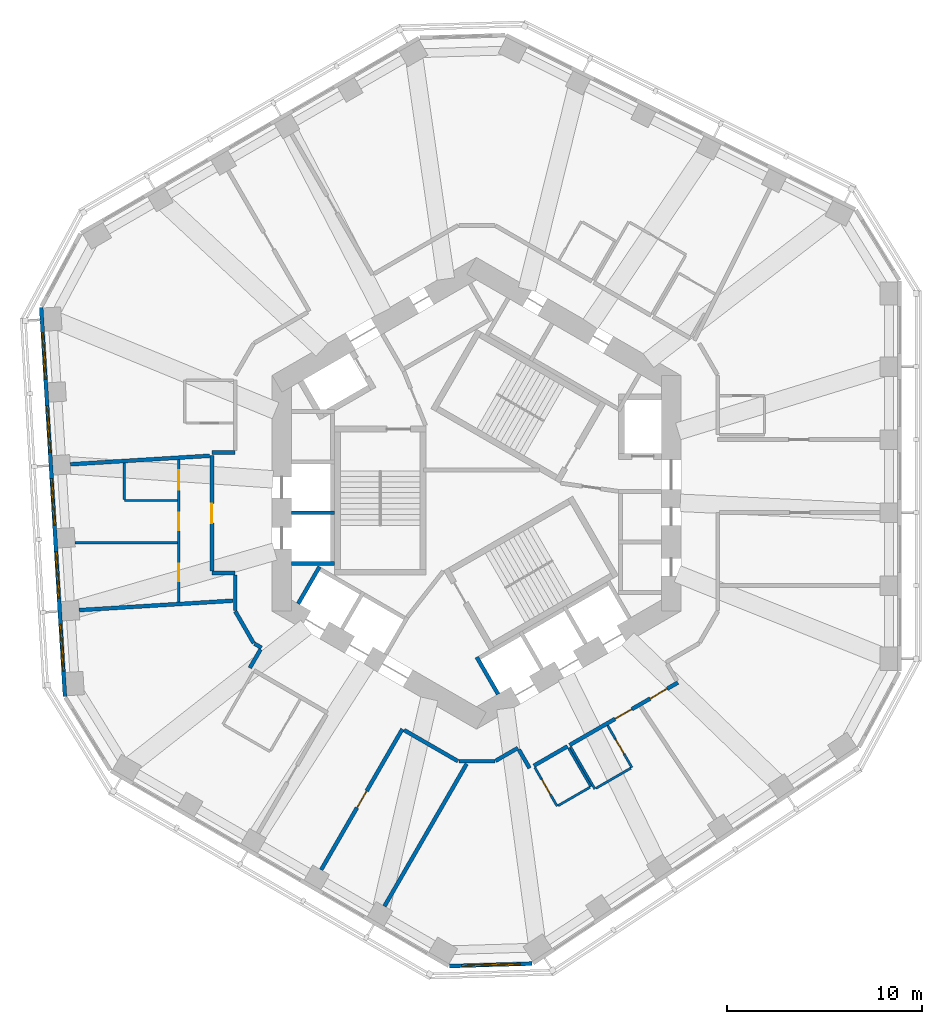
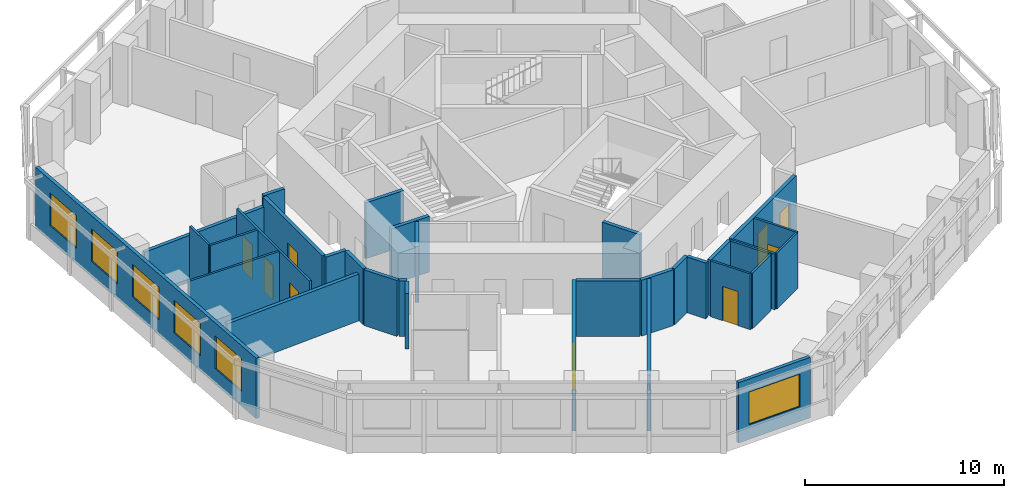
# One storey, part 4 of 11: 33 walls, 9 doors, 6 windows, 15 openings.
"""IFC4 building model written with IfcOpenShell, lengths in metres."""

from ifc_helpers import new_model, si_unit, direction, frame, frame_2d, origin, place, context, subcontext, project, spatial, rectangle, extrude, material, layer, layer_set, type_object, element, fill, save


model = new_model("IFC4")

# Units and contexts
model_context = context("Model", 3, precision=1e-05, world=origin(), true_north=direction((0.0, 1.0)))
body_context = subcontext(model_context, "Body", "Model", "MODEL_VIEW")
ifc_project = project(units=[si_unit("LENGTHUNIT", "METRE"), si_unit("AREAUNIT", "SQUARE_METRE"), si_unit("VOLUMEUNIT", "CUBIC_METRE"), si_unit("PLANEANGLEUNIT", "RADIAN"), si_unit("MASSUNIT", "GRAM", prefix="KILO")], contexts=[model_context])

# Site, building, storey
site_placement = place(None, origin())
site = spatial("IfcSite", under=ifc_project, at=site_placement, CompositionType="ELEMENT")
building_placement = place(site_placement, origin())
building = spatial("IfcBuilding", under=site, at=building_placement, Name="Vanh Sen Convention Tower", CompositionType="ELEMENT")
storey_placement = place(building_placement, frame((0.0, 0.0, 172.5)))
storey = spatial("IfcBuildingStorey", under=building, at=storey_placement, Name="L42", CompositionType="ELEMENT", Elevation=172.5)

# Walls
ifc_material_1 = material(Name="Moisture-resistant gypsum board on steel studs", Category="steel")
ifc_layer_1 = layer(ifc_material_1, 0.1201171875)
ifc_layer_set_1 = layer_set([ifc_layer_1], Name="Moisture-resistant gypsum board on steel studs")
wall_type_1 = type_object("IfcWallType", Name="Bathroom partition 120", PredefinedType="PARTITIONING", material=ifc_layer_set_1)
wall_1_placement = place(storey_placement, frame((-20.63330078125, -2.540771484375, 0.0), z_axis=(0.0, 0.0, 1.0), x_axis=(1.0, 0.0, 0.0)))
element("IfcWall", 1, at=wall_1_placement, inside=storey, type_object=wall_type_1, Name="Bathroom partition 120", PredefinedType="PARTITIONING", context=body_context, shape_type="SweptSolid", body=[
    extrude(rectangle(XDim=5.272216796875, YDim=0.1201171875, at=frame_2d((2.63623046875, 0.0))), origin(), (0.0, 0.0, 1.0), 3.419921875),
])
wall_2_placement = place(storey_placement, frame((-18.10107421875, -0.369384765625, 0.0), z_axis=(0.0, 0.0, 1.0), x_axis=(1.0, 0.0, 0.0)))
element("IfcWall", 2, at=wall_2_placement, inside=storey, type_object=wall_type_1, Name="Bathroom partition 120", PredefinedType="PARTITIONING", context=body_context, shape_type="SweptSolid", body=[
    extrude(rectangle(XDim=2.739990234375, YDim=0.1201171875, at=frame_2d((1.3701171875, 0.0))), origin(), (0.0, 0.0, 1.0), 3.419921875),
])
wall_3_placement = place(storey_placement, frame((-18.10107421875, 1.559326171875, 0.0), z_axis=(0.0, 0.0, 1.0), x_axis=(0.0, -1.0, 0.0)))
element("IfcWall", 3, at=wall_3_placement, inside=storey, type_object=wall_type_1, Name="Bathroom partition 120", PredefinedType="PARTITIONING", context=body_context, shape_type="SweptSolid", body=[
    extrude(rectangle(XDim=1.86865234375, YDim=0.1201171875, at=frame_2d((0.934326171875, 0.0))), origin(), (0.0, 0.0, 1.0), 3.419921875),
])

# Wall, openings, doors
wall_4_placement = place(storey_placement, frame((-15.301025390625, 1.730712890625, 0.0), z_axis=(0.0, 0.0, 1.0), x_axis=(0.0, -1.0, 0.0)))
wall_4 = element("IfcWall", 4, at=wall_4_placement, inside=storey, type_object=wall_type_1, Name="Bathroom partition 120", PredefinedType="PARTITIONING", context=body_context, shape_type="SweptSolid", body=[
    extrude(rectangle(XDim=7.322265625, YDim=0.1201171875, at=frame_2d((3.6611328125, 0.0))), origin(), (0.0, 0.0, 1.0), 3.419921875),
])
opening_1_placement = place(wall_4_placement, frame((0.550048828125, 0.0, 0.0)))
opening_1 = element("IfcOpeningElement", 5, at=opening_1_placement, cuts=wall_4, Name="Opening D41110", PredefinedType="OPENING", context=body_context, shape_type="SweptSolid", body=[
    extrude(rectangle(XDim=1.0, YDim=2.10009765625, at=frame_2d((0.5, 1.050048828125))), frame((0.0, 0.070068359375, 0.0), z_axis=(0.0, -1.0, 0.0), x_axis=(1.0, 0.0, 0.0)), (0.0, 0.0, 1.0), 0.14013671875),
])
opening_2_placement = place(wall_4_placement, frame((2.735595703125, 0.0, 0.0)))
opening_2 = element("IfcOpeningElement", 6, at=opening_2_placement, cuts=wall_4, Name="Opening D41111", PredefinedType="OPENING", context=body_context, shape_type="SweptSolid", body=[
    extrude(rectangle(XDim=0.89990234375, YDim=2.10009765625, at=frame_2d((0.449951171875, 1.050048828125))), frame((0.0, 0.070068359375, 0.0), z_axis=(0.0, -1.0, 0.0), x_axis=(1.0, 0.0, 0.0)), (0.0, 0.0, 1.0), 0.14013671875),
])
opening_3_placement = place(wall_4_placement, frame((5.3466796875, 0.0, 0.0)))
opening_3 = element("IfcOpeningElement", 7, at=opening_3_placement, cuts=wall_4, Name="Opening D41112", PredefinedType="OPENING", context=body_context, shape_type="SweptSolid", body=[
    extrude(rectangle(XDim=0.89990234375, YDim=2.10009765625, at=frame_2d((0.449951171875, 1.050048828125))), frame((0.0, 0.070068359375, 0.0), z_axis=(0.0, -1.0, 0.0), x_axis=(1.0, 0.0, 0.0)), (0.0, 0.0, 1.0), 0.14013671875),
])
ifc_material_2 = material(Name="Laminate door in steel frame", Category="steel")
door_type_1 = type_object("IfcDoorType", Name="Accessible WC door 1000", OperationType="SINGLE_SWING_LEFT", PredefinedType="DOOR", material=ifc_material_2)
door_1_placement = place(opening_1_placement, origin())
door_1 = element("IfcDoor", 8, at=door_1_placement, inside=storey, type_object=door_type_1, Name="Accessible WC door D41110", OperationType="SINGLE_SWING_LEFT", OverallHeight=2.10009765625, OverallWidth=1.0, PredefinedType="DOOR", context=body_context, shape_type="SweptSolid", body=[
    extrude(rectangle(XDim=1.0, YDim=2.10009765625, at=frame_2d((0.5, 1.050048828125))), frame((0.0, 0.02490234375, 0.0), z_axis=(0.0, -1.0, 0.0), x_axis=(1.0, 0.0, 0.0)), (0.0, 0.0, 1.0), 0.050048828125),
])
fill(opening_1, door_1)
door_type_2 = type_object("IfcDoorType", Name="Room internal door 900", OperationType="SINGLE_SWING_LEFT", PredefinedType="DOOR", material=ifc_material_2)
door_2_placement = place(opening_2_placement, origin())
door_2 = element("IfcDoor", 9, at=door_2_placement, inside=storey, type_object=door_type_2, Name="Internal room door D41111", OperationType="SINGLE_SWING_LEFT", OverallHeight=2.10009765625, OverallWidth=0.89990234375, PredefinedType="DOOR", context=body_context, shape_type="SweptSolid", body=[
    extrude(rectangle(XDim=0.89990234375, YDim=2.10009765625, at=frame_2d((0.449951171875, 1.050048828125))), frame((0.0, 0.02490234375, 0.0), z_axis=(0.0, -1.0, 0.0), x_axis=(1.0, 0.0, 0.0)), (0.0, 0.0, 1.0), 0.050048828125),
])
fill(opening_2, door_2)
door_3_placement = place(opening_3_placement, origin())
door_3 = element("IfcDoor", 10, at=door_3_placement, inside=storey, type_object=door_type_2, Name="Internal room door D41112", OperationType="SINGLE_SWING_LEFT", OverallHeight=2.10009765625, OverallWidth=0.89990234375, PredefinedType="DOOR", context=body_context, shape_type="SweptSolid", body=[
    extrude(rectangle(XDim=0.89990234375, YDim=2.10009765625, at=frame_2d((0.449951171875, 1.050048828125))), frame((0.0, 0.02490234375, 0.0), z_axis=(0.0, -1.0, 0.0), x_axis=(1.0, 0.0, 0.0)), (0.0, 0.0, 1.0), 0.050048828125),
])
fill(opening_3, door_3)

# Wall, opening, door
wall_5_placement = place(storey_placement, frame((4.145751953125, -16.082763671875, 0.0), z_axis=(0.0, 0.0, 1.0), x_axis=(-0.499952165731, 0.866053019151, 0.0)))
wall_5 = element("IfcWall", 11, at=wall_5_placement, inside=storey, type_object=wall_type_1, Name="Bathroom partition 120", PredefinedType="PARTITIONING", context=body_context, shape_type="SweptSolid", body=[
    extrude(rectangle(XDim=2.300048828125, YDim=0.1201171875, at=frame_2d((1.14990234375, 0.0))), origin(), (0.0, 0.0, 1.0), 3.419921875),
])
opening_4_placement = place(wall_5_placement, frame((0.699951171875, 0.0, 0.0)))
opening_4 = element("IfcOpeningElement", 12, at=opening_4_placement, cuts=wall_5, Name="Opening D41117", PredefinedType="OPENING", context=body_context, shape_type="SweptSolid", body=[
    extrude(rectangle(XDim=0.89990234375, YDim=2.10009765625, at=frame_2d((0.449951171875, 1.050048828125))), frame((0.0, 0.070068359375, 0.0), z_axis=(0.0, -1.0, 0.0), x_axis=(1.0, 0.0, 0.0)), (0.0, 0.0, 1.0), 0.14013671875),
])
door_4_placement = place(opening_4_placement, origin())
door_4 = element("IfcDoor", 13, at=door_4_placement, inside=storey, type_object=door_type_2, Name="Internal room door D41117", OperationType="SINGLE_SWING_LEFT", OverallHeight=2.10009765625, OverallWidth=0.89990234375, PredefinedType="DOOR", context=body_context, shape_type="SweptSolid", body=[
    extrude(rectangle(XDim=0.89990234375, YDim=2.10009765625, at=frame_2d((0.449951171875, 1.050048828125))), frame((0.0, 0.02490234375, 0.0), z_axis=(0.0, -1.0, 0.0), x_axis=(1.0, 0.0, 0.0)), (0.0, 0.0, 1.0), 0.050048828125),
])
fill(opening_4, door_4)

# Walls
wall_6_placement = place(storey_placement, frame((4.727783203125, -13.0908203125, 0.0), z_axis=(0.0, 0.0, 1.0), x_axis=(0.500031774688, -0.866007057882, 0.0)))
element("IfcWall", 14, at=wall_6_placement, inside=storey, type_object=wall_type_1, Name="Bathroom partition 120", PredefinedType="PARTITIONING", context=body_context, shape_type="SweptSolid", body=[
    extrude(rectangle(XDim=2.300048828125, YDim=0.1201171875, at=frame_2d((1.14990234375, 0.0))), origin(), (0.0, 0.0, 1.0), 3.419921875),
])
wall_7_placement = place(storey_placement, frame((5.825927734375, -15.11279296875, 0.0), z_axis=(0.0, 0.0, 1.0), x_axis=(-0.866045024864, -0.499966013754, 0.0)))
element("IfcWall", 15, at=wall_7_placement, inside=storey, type_object=wall_type_1, Name="Bathroom partition 120", PredefinedType="PARTITIONING", context=body_context, shape_type="SweptSolid", body=[
    extrude(rectangle(XDim=1.880126953125, YDim=0.1201171875, at=frame_2d((0.93994140625, 0.0))), origin(), (0.0, 0.0, 1.0), 3.419921875),
])
wall_8_placement = place(storey_placement, frame((6.081787109375, -15.196044921875, 0.0), z_axis=(0.0, 0.0, 1.0), x_axis=(-0.500004234368, 0.866022959057, 0.0)))
element("IfcWall", 16, at=wall_8_placement, inside=storey, type_object=wall_type_1, Name="Bathroom partition 120", PredefinedType="PARTITIONING", context=body_context, shape_type="SweptSolid", body=[
    extrude(rectangle(XDim=2.5, YDim=0.1201171875, at=frame_2d((1.25, 0.0))), origin(), (0.0, 0.0, 1.0), 3.419921875),
])

# Wall, opening, door
wall_9_placement = place(storey_placement, frame((6.737060546875, -11.930908203125, 0.0), z_axis=(0.0, 0.0, 1.0), x_axis=(0.500004234368, -0.866022959057, 0.0)))
wall_9 = element("IfcWall", 17, at=wall_9_placement, inside=storey, type_object=wall_type_1, Name="Bathroom partition 120", PredefinedType="PARTITIONING", context=body_context, shape_type="SweptSolid", body=[
    extrude(rectangle(XDim=2.5, YDim=0.1201171875, at=frame_2d((1.25, 0.0))), origin(), (0.0, 0.0, 1.0), 3.419921875),
])
opening_5_placement = place(wall_9_placement, frame((0.800048828125, 0.0, 0.0)))
opening_5 = element("IfcOpeningElement", 18, at=opening_5_placement, cuts=wall_9, Name="Opening D41118", PredefinedType="OPENING", context=body_context, shape_type="SweptSolid", body=[
    extrude(rectangle(XDim=0.89990234375, YDim=2.10009765625, at=frame_2d((0.449951171875, 1.050048828125))), frame((0.0, 0.070068359375, 0.0), z_axis=(0.0, -1.0, 0.0), x_axis=(1.0, 0.0, 0.0)), (0.0, 0.0, 1.0), 0.14013671875),
])
door_5_placement = place(opening_5_placement, origin())
door_5 = element("IfcDoor", 19, at=door_5_placement, inside=storey, type_object=door_type_2, Name="Internal room door D41118", OperationType="SINGLE_SWING_LEFT", OverallHeight=2.10009765625, OverallWidth=0.89990234375, PredefinedType="DOOR", context=body_context, shape_type="SweptSolid", body=[
    extrude(rectangle(XDim=0.89990234375, YDim=2.10009765625, at=frame_2d((0.449951171875, 1.050048828125))), frame((0.0, 0.02490234375, 0.0), z_axis=(0.0, -1.0, 0.0), x_axis=(1.0, 0.0, 0.0)), (0.0, 0.0, 1.0), 0.050048828125),
])
fill(opening_5, door_5)

# Walls
wall_10_placement = place(storey_placement, frame((7.93505859375, -14.1259765625, 0.0), z_axis=(0.0, 0.0, 1.0), x_axis=(-0.866009661879, -0.500027264788, 0.0)))
element("IfcWall", 20, at=wall_10_placement, inside=storey, type_object=wall_type_1, Name="Bathroom partition 120", PredefinedType="PARTITIONING", context=body_context, shape_type="SweptSolid", body=[
    extrude(rectangle(XDim=2.080078125, YDim=0.1201171875, at=frame_2d((1.0400390625, 0.0))), origin(), (0.0, 0.0, 1.0), 3.419921875),
])
ifc_material_3 = material(Name="Gypsum board on steel studs with mineral wool", Category="steel")
ifc_layer_2 = layer(ifc_material_3, 0.199951171875)
ifc_layer_set_2 = layer_set([ifc_layer_2], Name="Gypsum board on steel studs with mineral wool")
wall_type_2 = type_object("IfcWallType", Name="Corridor partition wall 200", PredefinedType="PARTITIONING", material=ifc_layer_set_2)
wall_11_placement = place(storey_placement, frame((-13.60107421875, -4.10107421875, 0.0), z_axis=(0.0, 0.0, 1.0), x_axis=(1.0, 0.0, 0.0)))
element("IfcWall", 21, at=wall_11_placement, inside=storey, type_object=wall_type_2, Name="Corridor partition wall 200", PredefinedType="PARTITIONING", context=body_context, shape_type="SweptSolid", body=[
    extrude(rectangle(XDim=1.201171875, YDim=0.199951171875, at=frame_2d((0.6005859375, 0.0))), origin(), (0.0, 0.0, 1.0), 3.419921875),
])

# Wall, opening, door
wall_12_placement = place(storey_placement, frame((-13.60107421875, 1.9345703125, 0.0), z_axis=(0.0, 0.0, 1.0), x_axis=(0.0, -1.0, 0.0)))
wall_12 = element("IfcWall", 22, at=wall_12_placement, inside=storey, type_object=wall_type_2, Name="Corridor partition wall 200", PredefinedType="PARTITIONING", context=body_context, shape_type="SweptSolid", body=[
    extrude(rectangle(XDim=5.935546875, YDim=0.199951171875, at=frame_2d((2.9677734375, 0.0))), origin(), (0.0, 0.0, 1.0), 3.419921875),
])
opening_6_placement = place(wall_12_placement, frame((2.4677734375, 0.0, 0.0)))
opening_6 = element("IfcOpeningElement", 23, at=opening_6_placement, cuts=wall_12, Name="Opening D41109", PredefinedType="OPENING", context=body_context, shape_type="SweptSolid", body=[
    extrude(rectangle(XDim=1.0, YDim=2.10009765625, at=frame_2d((0.5, 1.050048828125))), frame((0.0, 0.10986328125, 0.0), z_axis=(0.0, -1.0, 0.0), x_axis=(1.0, 0.0, 0.0)), (0.0, 0.0, 1.0), 0.219970703125),
])
ifc_material_4 = material(Name="Timber fire door in steel frame", Category="steel")
door_type_3 = type_object("IfcDoorType", Name="Floor room door 1000", OperationType="SINGLE_SWING_LEFT", PredefinedType="DOOR", material=ifc_material_4)
door_6_placement = place(opening_6_placement, origin())
door_6 = element("IfcDoor", 24, at=door_6_placement, inside=storey, type_object=door_type_3, Name="Meeting and amenity room door D41109", OperationType="SINGLE_SWING_LEFT", OverallHeight=2.10009765625, OverallWidth=1.0, PredefinedType="DOOR", context=body_context, shape_type="SweptSolid", body=[
    extrude(rectangle(XDim=1.0, YDim=2.10009765625, at=frame_2d((0.5, 1.050048828125))), frame((0.0, 0.02490234375, 0.0), z_axis=(0.0, -1.0, 0.0), x_axis=(1.0, 0.0, 0.0)), (0.0, 0.0, 1.0), 0.050048828125),
])
fill(opening_6, door_6)

# Walls
wall_13_placement = place(storey_placement, frame((-12.39990234375, -6.062255859375, 0.0), z_axis=(0.0, 0.0, 1.0), x_axis=(0.500022797313, -0.86601224135, 0.0)))
element("IfcWall", 25, at=wall_13_placement, inside=storey, type_object=wall_type_2, Name="Corridor partition wall 200", PredefinedType="PARTITIONING", context=body_context, shape_type="SweptSolid", body=[
    extrude(rectangle(XDim=1.89990234375, YDim=0.199951171875, at=frame_2d((0.949951171875, 0.0))), origin(), (0.0, 0.0, 1.0), 3.419921875),
])
wall_14_placement = place(storey_placement, frame((-12.39990234375, -4.200927734375, 0.0), z_axis=(0.0, 0.0, 1.0), x_axis=(0.0, -1.0, 0.0)))
element("IfcWall", 26, at=wall_14_placement, inside=storey, type_object=wall_type_2, Name="Corridor partition wall 200", PredefinedType="PARTITIONING", context=body_context, shape_type="SweptSolid", body=[
    extrude(rectangle(XDim=1.8212890625, YDim=0.199951171875, at=frame_2d((0.91064453125, 0.0))), origin(), (0.0, 0.0, 1.0), 3.419921875),
])
wall_15_placement = place(storey_placement, frame((-12.39990234375, 2.10107421875, 0.0), z_axis=(0.0, 0.0, 1.0), x_axis=(-1.0, 0.0, 0.0)))
element("IfcWall", 27, at=wall_15_placement, inside=storey, type_object=wall_type_2, Name="Corridor partition wall 200", PredefinedType="PARTITIONING", context=body_context, shape_type="SweptSolid", body=[
    extrude(rectangle(XDim=1.201171875, YDim=0.199951171875, at=frame_2d((0.6005859375, 0.0))), origin(), (0.0, 0.0, 1.0), 3.419921875),
])
wall_16_placement = place(storey_placement, frame((-11.415283203125, -7.7275390625, 0.0), z_axis=(0.0, 0.0, 1.0), x_axis=(0.865915281873, -0.500190688257, 0.0)))
element("IfcWall", 28, at=wall_16_placement, inside=storey, type_object=wall_type_2, Name="Corridor partition wall 200", PredefinedType="PARTITIONING", context=body_context, shape_type="SweptSolid", body=[
    extrude(rectangle(XDim=0.421142578125, YDim=0.199951171875, at=frame_2d((0.21044921875, 0.0))), origin(), (0.0, 0.0, 1.0), 3.419921875),
])
wall_17_placement = place(storey_placement, frame((-11.1005859375, -8.02490234375, 0.0), z_axis=(0.0, 0.0, 1.0), x_axis=(-0.500074377092, -0.865982457891, 0.0)))
element("IfcWall", 29, at=wall_17_placement, inside=storey, type_object=wall_type_2, Name="Corridor partition wall 200", PredefinedType="PARTITIONING", context=body_context, shape_type="SweptSolid", body=[
    extrude(rectangle(XDim=1.100830078125, YDim=0.199951171875, at=frame_2d((0.55029296875, 0.0))), origin(), (0.0, 0.0, 1.0), 3.419921875),
])

# Wall, opening, door
wall_18_placement = place(storey_placement, frame((-7.983642578125, -19.3505859375, 0.0), z_axis=(0.0, 0.0, 1.0), x_axis=(0.500010139422, 0.866019549707, 0.0)))
wall_18 = element("IfcWall", 30, at=wall_18_placement, inside=storey, type_object=wall_type_2, Name="Corridor partition wall 200", PredefinedType="PARTITIONING", context=body_context, shape_type="SweptSolid", body=[
    extrude(rectangle(XDim=8.349853515625, YDim=0.199951171875, at=frame_2d((4.1748046875, 0.0))), origin(), (0.0, 0.0, 1.0), 3.419921875),
])
opening_7_placement = place(wall_18_placement, frame((3.675048828125, 0.0, 0.0)))
opening_7 = element("IfcOpeningElement", 31, at=opening_7_placement, cuts=wall_18, Name="Opening D41115", PredefinedType="OPENING", context=body_context, shape_type="SweptSolid", body=[
    extrude(rectangle(XDim=1.0, YDim=2.10009765625, at=frame_2d((0.5, 1.050048828125))), frame((0.0, 0.10986328125, 0.0), z_axis=(0.0, -1.0, 0.0), x_axis=(1.0, 0.0, 0.0)), (0.0, 0.0, 1.0), 0.219970703125),
])
ifc_material_5 = material(Name="Glazed fire door in steel frame", Category="steel")
door_type_4 = type_object("IfcDoorType", Name="Tenant entrance door 1000", OperationType="SINGLE_SWING_LEFT", PredefinedType="DOOR", material=ifc_material_5)
door_7_placement = place(opening_7_placement, origin())
door_7 = element("IfcDoor", 32, at=door_7_placement, inside=storey, type_object=door_type_4, Name="Tenant suite entrance door D41115", OperationType="SINGLE_SWING_LEFT", OverallHeight=2.10009765625, OverallWidth=1.0, PredefinedType="DOOR", context=body_context, shape_type="SweptSolid", body=[
    extrude(rectangle(XDim=1.0, YDim=2.10009765625, at=frame_2d((0.5, 1.050048828125))), frame((0.0, 0.02490234375, 0.0), z_axis=(0.0, -1.0, 0.0), x_axis=(1.0, 0.0, 0.0)), (0.0, 0.0, 1.0), 0.050048828125),
])
fill(opening_7, door_7)

# Walls
wall_19_placement = place(storey_placement, frame((-3.721923828125, -12.16943359375, 0.0), z_axis=(0.0, 0.0, 1.0), x_axis=(0.866033163891, -0.499986558861, 0.0)))
element("IfcWall", 33, at=wall_19_placement, inside=storey, type_object=wall_type_2, Name="Corridor partition wall 200", PredefinedType="PARTITIONING", context=body_context, shape_type="SweptSolid", body=[
    extrude(rectangle(XDim=3.20068359375, YDim=0.199951171875, at=frame_2d((1.600341796875, 0.0))), origin(), (0.0, 0.0, 1.0), 3.419921875),
])
wall_20_placement = place(storey_placement, frame((-0.909912109375, -13.769775390625, 0.0), z_axis=(0.0, 0.0, 1.0), x_axis=(1.0, 0.0, 0.0)))
element("IfcWall", 34, at=wall_20_placement, inside=storey, type_object=wall_type_2, Name="Corridor partition wall 200", PredefinedType="PARTITIONING", context=body_context, shape_type="SweptSolid", body=[
    extrude(rectangle(XDim=1.85986328125, YDim=0.199951171875, at=frame_2d((0.929931640625, 0.0))), origin(), (0.0, 0.0, 1.0), 3.419921875),
])
wall_21_placement = place(storey_placement, frame((0.984619140625, -13.749755859375, 0.0), z_axis=(0.0, 0.0, 1.0), x_axis=(0.866028661061, 0.499994358189, 0.0)))
element("IfcWall", 35, at=wall_21_placement, inside=storey, type_object=wall_type_2, Name="Corridor partition wall 200", PredefinedType="PARTITIONING", context=body_context, shape_type="SweptSolid", body=[
    extrude(rectangle(XDim=1.3212890625, YDim=0.199951171875, at=frame_2d((0.66064453125, 0.0))), origin(), (0.0, 0.0, 1.0), 3.419921875),
])
wall_22_placement = place(storey_placement, frame((2.1787109375, -13.17578125, 0.0), z_axis=(0.0, 0.0, 1.0), x_axis=(0.499978356969, -0.866037899034, 0.0)))
element("IfcWall", 36, at=wall_22_placement, inside=storey, type_object=wall_type_2, Name="Corridor partition wall 200", PredefinedType="PARTITIONING", context=body_context, shape_type="SweptSolid", body=[
    extrude(rectangle(XDim=1.10107421875, YDim=0.199951171875, at=frame_2d((0.550537109375, 0.0))), origin(), (0.0, 0.0, 1.0), 3.419921875),
])
wall_23_placement = place(storey_placement, frame((2.94580078125, -14.00439453125, 0.0), z_axis=(0.0, 0.0, 1.0), x_axis=(0.866041268327, 0.499972520799, 0.0)))
element("IfcWall", 37, at=wall_23_placement, inside=storey, type_object=wall_type_2, Name="Corridor partition wall 200", PredefinedType="PARTITIONING", context=body_context, shape_type="SweptSolid", body=[
    extrude(rectangle(XDim=2.0, YDim=0.199951171875, at=frame_2d((1.0, 0.0))), origin(), (0.0, 0.0, 1.0), 3.419921875),
])

# Wall, openings, doors
wall_24_placement = place(storey_placement, frame((4.78173828125, -12.9443359375, 0.0), z_axis=(0.0, 0.0, 1.0), x_axis=(0.866022506829, 0.50000501764, 0.0)))
wall_24 = element("IfcWall", 38, at=wall_24_placement, inside=storey, type_object=wall_type_2, Name="Corridor partition wall 200", PredefinedType="PARTITIONING", context=body_context, shape_type="SweptSolid", body=[
    extrude(rectangle(XDim=6.43212890625, YDim=0.199951171875, at=frame_2d((3.216064453125, 0.0))), origin(), (0.0, 0.0, 1.0), 3.419921875),
])
opening_8_placement = place(wall_24_placement, frame((2.70361328125, 0.0, 0.0)))
opening_8 = element("IfcOpeningElement", 39, at=opening_8_placement, cuts=wall_24, Name="Opening D41116", PredefinedType="OPENING", context=body_context, shape_type="SweptSolid", body=[
    extrude(rectangle(XDim=1.0, YDim=2.10009765625, at=frame_2d((0.5, 1.050048828125))), frame((0.0, 0.10986328125, 0.0), z_axis=(0.0, -1.0, 0.0), x_axis=(1.0, 0.0, 0.0)), (0.0, 0.0, 1.0), 0.219970703125),
])
opening_9_placement = place(wall_24_placement, frame((4.794677734375, 0.0, 0.0)))
opening_9 = element("IfcOpeningElement", 40, at=opening_9_placement, cuts=wall_24, Name="Opening D41119", PredefinedType="OPENING", context=body_context, shape_type="SweptSolid", body=[
    extrude(rectangle(XDim=1.0, YDim=2.10009765625, at=frame_2d((0.5, 1.050048828125))), frame((0.0, 0.10986328125, 0.0), z_axis=(0.0, -1.0, 0.0), x_axis=(1.0, 0.0, 0.0)), (0.0, 0.0, 1.0), 0.219970703125),
])
door_8_placement = place(opening_9_placement, origin())
door_8 = element("IfcDoor", 41, at=door_8_placement, inside=storey, type_object=door_type_3, Name="Meeting and amenity room door D41119", OperationType="SINGLE_SWING_LEFT", OverallHeight=2.10009765625, OverallWidth=1.0, PredefinedType="DOOR", context=body_context, shape_type="SweptSolid", body=[
    extrude(rectangle(XDim=1.0, YDim=2.10009765625, at=frame_2d((0.5, 1.050048828125))), frame((0.0, 0.02490234375, 0.0), z_axis=(0.0, -1.0, 0.0), x_axis=(1.0, 0.0, 0.0)), (0.0, 0.0, 1.0), 0.050048828125),
])
fill(opening_9, door_8)
door_9_placement = place(opening_8_placement, origin())
door_9 = element("IfcDoor", 42, at=door_9_placement, inside=storey, type_object=door_type_4, Name="Tenant suite entrance door D41116", OperationType="SINGLE_SWING_LEFT", OverallHeight=2.10009765625, OverallWidth=1.0, PredefinedType="DOOR", context=body_context, shape_type="SweptSolid", body=[
    extrude(rectangle(XDim=1.0, YDim=2.10009765625, at=frame_2d((0.5, 1.050048828125))), frame((0.0, 0.02490234375, 0.0), z_axis=(0.0, -1.0, 0.0), x_axis=(1.0, 0.0, 0.0)), (0.0, 0.0, 1.0), 0.050048828125),
])
fill(opening_8, door_9)

# Wall, openings, windows
ifc_material_6 = material(Name="Insulated lightweight infill wall")
ifc_layer_3 = layer(ifc_material_6, 0.199951171875)
ifc_layer_set_3 = layer_set([ifc_layer_3], Name="Insulated lightweight infill wall")
wall_type_3 = type_object("IfcWallType", Name="External wall 200", PredefinedType="STANDARD", material=ifc_layer_set_3)
wall_25_placement = place(storey_placement, frame((-22.375, 9.55712890625, 0.0), z_axis=(0.0, 0.0, 1.0), x_axis=(0.061036015339, -0.998135564356, 0.0)))
wall_25 = element("IfcWall", 43, at=wall_25_placement, inside=storey, type_object=wall_type_3, Name="External wall W L42", PredefinedType="STANDARD", context=body_context, shape_type="SweptSolid", body=[
    extrude(rectangle(XDim=20.043701171875, YDim=0.199951171875, at=frame_2d((10.02197265625, 0.0))), origin(), (0.0, 0.0, 1.0), 3.699951171875),
])
opening_10_placement = place(wall_25_placement, frame((1.312744140625, 0.0, 0.89990234375)))
opening_10 = element("IfcOpeningElement", 44, at=opening_10_placement, cuts=wall_25, Name="Opening WO1-W1", PredefinedType="OPENING", context=body_context, shape_type="SweptSolid", body=[
    extrude(rectangle(XDim=2.39990234375, YDim=2.0, at=frame_2d((1.199951171875, 1.0))), frame((0.0, 0.10986328125, 0.0), z_axis=(0.0, -1.0, 0.0), x_axis=(1.0, 0.0, 0.0)), (0.0, 0.0, 1.0), 0.219970703125),
])
opening_11_placement = place(wall_25_placement, frame((5.06689453125, 0.0, 0.89990234375)))
opening_11 = element("IfcOpeningElement", 45, at=opening_11_placement, cuts=wall_25, Name="Opening WO1-W2", PredefinedType="OPENING", context=body_context, shape_type="SweptSolid", body=[
    extrude(rectangle(XDim=2.39990234375, YDim=2.0, at=frame_2d((1.199951171875, 1.0))), frame((0.0, 0.10986328125, 0.0), z_axis=(0.0, -1.0, 0.0), x_axis=(1.0, 0.0, 0.0)), (0.0, 0.0, 1.0), 0.219970703125),
])
opening_12_placement = place(wall_25_placement, frame((8.821044921875, 0.0, 0.89990234375)))
opening_12 = element("IfcOpeningElement", 46, at=opening_12_placement, cuts=wall_25, Name="Opening WO1-W3", PredefinedType="OPENING", context=body_context, shape_type="SweptSolid", body=[
    extrude(rectangle(XDim=2.39990234375, YDim=2.0, at=frame_2d((1.199951171875, 1.0))), frame((0.0, 0.10986328125, 0.0), z_axis=(0.0, -1.0, 0.0), x_axis=(1.0, 0.0, 0.0)), (0.0, 0.0, 1.0), 0.219970703125),
])
opening_13_placement = place(wall_25_placement, frame((12.5751953125, 0.0, 0.89990234375)))
opening_13 = element("IfcOpeningElement", 47, at=opening_13_placement, cuts=wall_25, Name="Opening WO1-W4", PredefinedType="OPENING", context=body_context, shape_type="SweptSolid", body=[
    extrude(rectangle(XDim=2.39990234375, YDim=2.0, at=frame_2d((1.199951171875, 1.0))), frame((0.0, 0.10986328125, 0.0), z_axis=(0.0, -1.0, 0.0), x_axis=(1.0, 0.0, 0.0)), (0.0, 0.0, 1.0), 0.219970703125),
])
opening_14_placement = place(wall_25_placement, frame((16.329345703125, 0.0, 0.89990234375)))
opening_14 = element("IfcOpeningElement", 48, at=opening_14_placement, cuts=wall_25, Name="Opening WO1-W5", PredefinedType="OPENING", context=body_context, shape_type="SweptSolid", body=[
    extrude(rectangle(XDim=2.39990234375, YDim=2.0, at=frame_2d((1.199951171875, 1.0))), frame((0.0, 0.10986328125, 0.0), z_axis=(0.0, -1.0, 0.0), x_axis=(1.0, 0.0, 0.0)), (0.0, 0.0, 1.0), 0.219970703125),
])
ifc_material_7 = material(Name="Aluminium frame with clear low-emissivity glass", Category="aluminium")
window_type_1 = type_object("IfcWindowType", Name="Office window 2400 x 2000", PartitioningType="SINGLE_PANEL", PredefinedType="WINDOW", material=ifc_material_7)
window_1_placement = place(opening_10_placement, origin())
window_1 = element("IfcWindow", 49, at=window_1_placement, inside=storey, type_object=window_type_1, Name="Window WO1-W1", OverallHeight=2.0, OverallWidth=2.39990234375, PartitioningType="SINGLE_PANEL", PredefinedType="WINDOW", context=body_context, shape_type="SweptSolid", body=[
    extrude(rectangle(XDim=2.39990234375, YDim=2.0, at=frame_2d((1.199951171875, 1.0))), frame((0.0, 0.030029296875, 0.0), z_axis=(0.0, -1.0, 0.0), x_axis=(1.0, 0.0, 0.0)), (0.0, 0.0, 1.0), 0.06005859375),
])
fill(opening_10, window_1)
window_2_placement = place(opening_11_placement, origin())
window_2 = element("IfcWindow", 50, at=window_2_placement, inside=storey, type_object=window_type_1, Name="Window WO1-W2", OverallHeight=2.0, OverallWidth=2.39990234375, PartitioningType="SINGLE_PANEL", PredefinedType="WINDOW", context=body_context, shape_type="SweptSolid", body=[
    extrude(rectangle(XDim=2.39990234375, YDim=2.0, at=frame_2d((1.199951171875, 1.0))), frame((0.0, 0.030029296875, 0.0), z_axis=(0.0, -1.0, 0.0), x_axis=(1.0, 0.0, 0.0)), (0.0, 0.0, 1.0), 0.06005859375),
])
fill(opening_11, window_2)
window_3_placement = place(opening_12_placement, origin())
window_3 = element("IfcWindow", 51, at=window_3_placement, inside=storey, type_object=window_type_1, Name="Window WO1-W3", OverallHeight=2.0, OverallWidth=2.39990234375, PartitioningType="SINGLE_PANEL", PredefinedType="WINDOW", context=body_context, shape_type="SweptSolid", body=[
    extrude(rectangle(XDim=2.39990234375, YDim=2.0, at=frame_2d((1.199951171875, 1.0))), frame((0.0, 0.030029296875, 0.0), z_axis=(0.0, -1.0, 0.0), x_axis=(1.0, 0.0, 0.0)), (0.0, 0.0, 1.0), 0.06005859375),
])
fill(opening_12, window_3)
window_4_placement = place(opening_13_placement, origin())
window_4 = element("IfcWindow", 52, at=window_4_placement, inside=storey, type_object=window_type_1, Name="Window WO1-W4", OverallHeight=2.0, OverallWidth=2.39990234375, PartitioningType="SINGLE_PANEL", PredefinedType="WINDOW", context=body_context, shape_type="SweptSolid", body=[
    extrude(rectangle(XDim=2.39990234375, YDim=2.0, at=frame_2d((1.199951171875, 1.0))), frame((0.0, 0.030029296875, 0.0), z_axis=(0.0, -1.0, 0.0), x_axis=(1.0, 0.0, 0.0)), (0.0, 0.0, 1.0), 0.06005859375),
])
fill(opening_13, window_4)
window_5_placement = place(opening_14_placement, origin())
window_5 = element("IfcWindow", 53, at=window_5_placement, inside=storey, type_object=window_type_1, Name="Window WO1-W5", OverallHeight=2.0, OverallWidth=2.39990234375, PartitioningType="SINGLE_PANEL", PredefinedType="WINDOW", context=body_context, shape_type="SweptSolid", body=[
    extrude(rectangle(XDim=2.39990234375, YDim=2.0, at=frame_2d((1.199951171875, 1.0))), frame((0.0, 0.030029296875, 0.0), z_axis=(0.0, -1.0, 0.0), x_axis=(1.0, 0.0, 0.0)), (0.0, 0.0, 1.0), 0.06005859375),
])
fill(opening_14, window_5)

# Wall, opening, window
wall_26_placement = place(storey_placement, frame((-1.377685546875, -24.302001953125, 0.0), z_axis=(0.0, 0.0, 1.0), x_axis=(0.999533857267, 0.030529791629, 0.0)))
wall_26 = element("IfcWall", 54, at=wall_26_placement, inside=storey, type_object=wall_type_3, Name="External wall CH5 L42", PredefinedType="STANDARD", context=body_context, shape_type="SweptSolid", body=[
    extrude(rectangle(XDim=4.23828125, YDim=0.199951171875, at=frame_2d((2.119140625, 0.0))), origin(), (0.0, 0.0, 1.0), 3.699951171875),
])
opening_15_placement = place(wall_26_placement, frame((0.619140625, 0.0, 0.89990234375)))
opening_15 = element("IfcOpeningElement", 55, at=opening_15_placement, cuts=wall_26, Name="Opening WO2-CH51", PredefinedType="OPENING", context=body_context, shape_type="SweptSolid", body=[
    extrude(rectangle(XDim=3.0, YDim=2.0, at=frame_2d((1.5, 1.0))), frame((0.0, 0.10986328125, 0.0), z_axis=(0.0, -1.0, 0.0), x_axis=(1.0, 0.0, 0.0)), (0.0, 0.0, 1.0), 0.219970703125),
])
window_type_2 = type_object("IfcWindowType", Name="Office window 3000 x 2000", PartitioningType="SINGLE_PANEL", PredefinedType="WINDOW", material=ifc_material_7)
window_6_placement = place(opening_15_placement, origin())
window_6 = element("IfcWindow", 56, at=window_6_placement, inside=storey, type_object=window_type_2, Name="Window WO2-CH51", OverallHeight=2.0, OverallWidth=3.0, PartitioningType="SINGLE_PANEL", PredefinedType="WINDOW", context=body_context, shape_type="SweptSolid", body=[
    extrude(rectangle(XDim=3.0, YDim=2.0, at=frame_2d((1.5, 1.0))), frame((0.0, 0.030029296875, 0.0), z_axis=(0.0, -1.0, 0.0), x_axis=(1.0, 0.0, 0.0)), (0.0, 0.0, 1.0), 0.06005859375),
])
fill(opening_15, window_6)

# Walls
ifc_material_8 = material(Name="Concrete C40/50", Category="concrete")
ifc_layer_4 = layer(ifc_material_8, 0.199951171875)
ifc_layer_set_4 = layer_set([ifc_layer_4], Name="Concrete C40/50")
wall_type_4 = type_object("IfcWallType", Name="Lift shaft wall 200", PredefinedType="PARTITIONING", material=ifc_layer_set_4)
for number, where, z_axis, x_axis, name in (
    (57, (-7.300048828125, -1.0, 0.0), (0.0, 0.0, 1.0), (-1.0, 0.0, 0.0), "Lift shaft wall L42"),
    (58, (-7.300048828125, -3.60009765625, 0.0), (0.0, 0.0, 1.0), (-1.0, 0.0, 0.0), "Lift shaft wall L42"),
    (59, (-8.066650390625, -3.77197265625, 0.0), (0.0, 0.0, 1.0), (-0.50002983664, -0.866008176907, 0.0), "Lift shaft wall L42"),
    (60, (0.0126953125, -8.422119140625, 0.0), (0.0, 0.0, 1.0), (0.500077893725, -0.86598042715, 0.0), "Lift shaft wall L42"),
):
    element("IfcWall", number, at=place(storey_placement, frame(where, z_axis=z_axis, x_axis=x_axis)), inside=storey, type_object=wall_type_4, Name=name, PredefinedType="PARTITIONING", context=body_context, shape_type="SweptSolid", body=[
        extrude(rectangle(XDim=2.199951171875, YDim=0.199951171875, at=frame_2d((1.10009765625, 0.0))), origin(), (0.0, 0.0, 1.0), 3.419921875),
    ])
ifc_layer_5 = layer(ifc_material_3, 0.199951171875)
ifc_layer_set_5 = layer_set([ifc_layer_5], Name="Gypsum board on steel studs with mineral wool")
wall_type_5 = type_object("IfcWallType", Name="Tenant suite wall 200", PredefinedType="PARTITIONING", material=ifc_layer_set_5)
wall_27_placement = place(storey_placement, frame((-20.8798828125, 1.489501953125, 0.0), z_axis=(0.0, 0.0, 1.0), x_axis=(0.998134881975, 0.061047173439, 0.0)))
element("IfcWall", 61, at=wall_27_placement, inside=storey, type_object=wall_type_5, Name="Tenant suite wall 200", PredefinedType="PARTITIONING", context=body_context, shape_type="SweptSolid", body=[
    extrude(rectangle(XDim=7.1826171875, YDim=0.199951171875, at=frame_2d((3.59130859375, 0.0))), origin(), (0.0, 0.0, 1.0), 2.8701171875),
])
wall_28_placement = place(storey_placement, frame((-20.42138671875, -6.0048828125, 0.0), z_axis=(0.0, 0.0, 1.0), x_axis=(0.998134865741, 0.061047438866, 0.0)))
element("IfcWall", 62, at=wall_28_placement, inside=storey, type_object=wall_type_5, Name="Tenant suite wall 200", PredefinedType="PARTITIONING", context=body_context, shape_type="SweptSolid", body=[
    extrude(rectangle(XDim=7.926513671875, YDim=0.199951171875, at=frame_2d((3.96337890625, 0.0))), origin(), (0.0, 0.0, 1.0), 2.8701171875),
])
wall_29_placement = place(storey_placement, frame((-4.732421875, -21.227783203125, 0.0), z_axis=(0.0, 0.0, 1.0), x_axis=(0.500000843414, 0.866024916838, 0.0)))
element("IfcWall", 63, at=wall_29_placement, inside=storey, type_object=wall_type_5, Name="Tenant suite wall 200", PredefinedType="PARTITIONING", context=body_context, shape_type="SweptSolid", body=[
    extrude(rectangle(XDim=8.45166015625, YDim=0.199951171875, at=frame_2d((4.225830078125, 0.0))), origin(), (0.0, 0.0, 1.0), 3.419921875),
])

save(model, "model.ifc")
